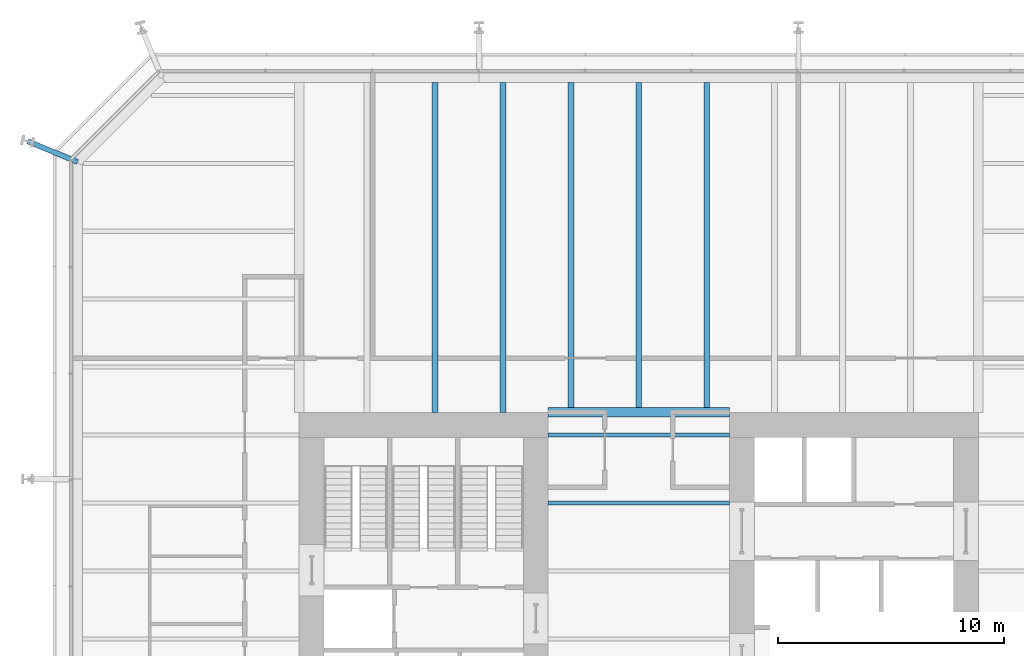
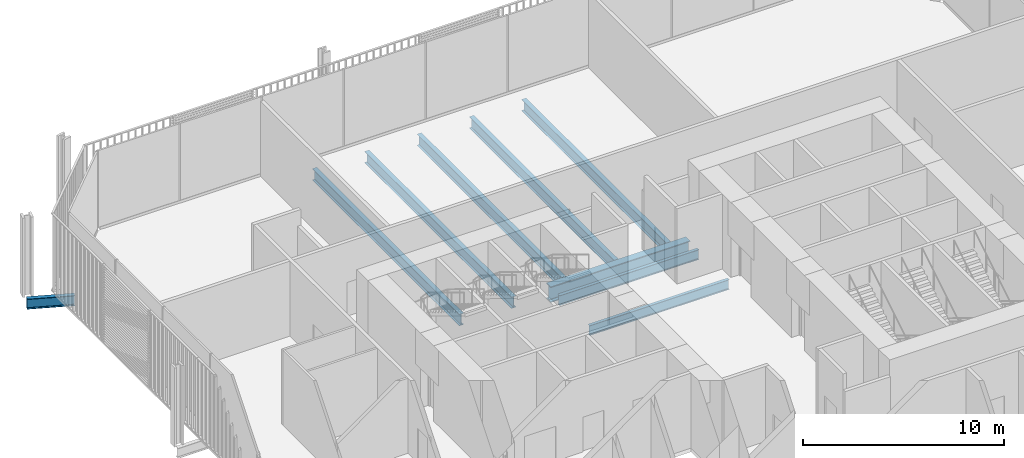
# One storey, part 13 of 22: 9 beams.
"""IFC4 building model written with IfcOpenShell, lengths in metres."""

from ifc_helpers import new_model, si_unit, direction, frame, origin, origin_2d, place, context, subcontext, project, spatial, i_section, extrude, material, material_profile, profile_set, type_object, element, save


model = new_model("IFC4")

# Units and contexts
model_context = context("Model", 3, precision=1e-05, world=origin(), true_north=direction((0.0, 1.0)))
body_context = subcontext(model_context, "Body", "Model", "MODEL_VIEW")
ifc_project = project(units=[si_unit("LENGTHUNIT", "METRE"), si_unit("AREAUNIT", "SQUARE_METRE"), si_unit("VOLUMEUNIT", "CUBIC_METRE"), si_unit("PLANEANGLEUNIT", "RADIAN"), si_unit("MASSUNIT", "GRAM", prefix="KILO")], contexts=[model_context])

# Site, building, storey
site_placement = place(None, origin())
site = spatial("IfcSite", under=ifc_project, at=site_placement, CompositionType="ELEMENT")
building_placement = place(site_placement, origin())
building = spatial("IfcBuilding", under=site, at=building_placement, Name="Millrace Tower", CompositionType="ELEMENT")
storey_placement = place(building_placement, frame((0.0, 0.0, 59.300048828125)))
storey = spatial("IfcBuildingStorey", under=building, at=storey_placement, Name="L13", CompositionType="ELEMENT", Elevation=59.300048828125)

# Beams
ifc_material_1 = material(Name="Steel ASTM A992 Grade 50", Category="steel")
ifc_material_profile_1 = material_profile(ifc_material_1, i_section(OverallWidth=0.177978515625, OverallDepth=0.599365234375, WebThickness=0.010009765625, FlangeThickness=0.012939453125, FilletRadius=0.012939453125, at=origin_2d()))
ifc_profile_set_1 = profile_set([ifc_material_profile_1], Name="Steel ASTM A992 Grade 50")
beam_type_1 = type_object("IfcBeamType", Name="Floor beam W24x55", PredefinedType="JOIST", material=ifc_profile_set_1)
for number, where, z_axis, x_axis, name in (
    (1, (-4.0, 6.0, -0.524658203125), (1.0, 0.0, 0.0), (0.0, 1.0, 0.0), "BM-A-L13-S1-S026"),
    (2, (-4.0, 9.0, -0.524658203125), (1.0, 0.0, 0.0), (0.0, 1.0, 0.0), "BM-A-L13-S1-S029"),
):
    element("IfcBeam", number, at=place(storey_placement, frame(where, z_axis=z_axis, x_axis=x_axis)), inside=storey, type_object=beam_type_1, Name=name, PredefinedType="JOIST", context=body_context, shape_type="SweptSolid", body=[
        extrude(i_section(OverallWidth=0.177978515625, OverallDepth=0.599365234375, WebThickness=0.010009765625, FlangeThickness=0.012939453125, FilletRadius=0.012939453125, at=origin_2d()), origin(), (0.0, 0.0, 1.0), 8.0),
    ])
ifc_material_2 = material(Name="Steel ASTM A992 Grade 50", Category="steel")
ifc_material_profile_2 = material_profile(ifc_material_2, i_section(OverallWidth=0.256591796875, OverallDepth=0.693359375, WebThickness=0.014404296875, FlangeThickness=0.023681640625, FilletRadius=0.01513671875, at=origin_2d()))
ifc_profile_set_2 = profile_set([ifc_material_profile_2], Name="Steel ASTM A992 Grade 50")
beam_type_2 = type_object("IfcBeamType", Name="Floor beam W27x114", PredefinedType="JOIST", material=ifc_profile_set_2)
for number, where, z_axis, x_axis, name in (
    (3, (-9.0, 10.0, -0.57177734375), (0.0, 1.0, 0.0), (-1.0, 0.0, 0.0), "BM-A-L13-S1-S044"),
    (4, (-6.0, 10.0, -0.57177734375), (0.0, 1.0, 0.0), (-1.0, 0.0, 0.0), "BM-A-L13-S1-S046"),
):
    element("IfcBeam", number, at=place(storey_placement, frame(where, z_axis=z_axis, x_axis=x_axis)), inside=storey, type_object=beam_type_2, Name=name, PredefinedType="JOIST", context=body_context, shape_type="SweptSolid", body=[
        extrude(i_section(OverallWidth=0.256591796875, OverallDepth=0.693359375, WebThickness=0.014404296875, FlangeThickness=0.023681640625, FilletRadius=0.01513671875, at=origin_2d()), origin(), (0.0, 0.0, 1.0), 14.578369140625),
    ])
for number, where, z_axis, x_axis, name in (
    (5, (-3.0, 10.212158203125, -0.57177734375), (0.0, 1.0, 0.0), (-1.0, 0.0, 0.0), "BM-A-L13-S1-S048"),
    (6, (0.0, 10.212158203125, -0.57177734375), (0.0, 1.0, 0.0), (-1.0, 0.0, 0.0), "BM-A-L13-S1-S050"),
    (7, (3.0, 10.212158203125, -0.57177734375), (0.0, 1.0, 0.0), (-1.0, 0.0, 0.0), "BM-A-L13-S1-S052"),
):
    element("IfcBeam", number, at=place(storey_placement, frame(where, z_axis=z_axis, x_axis=x_axis)), inside=storey, type_object=beam_type_2, Name=name, PredefinedType="JOIST", context=body_context, shape_type="SweptSolid", body=[
        extrude(i_section(OverallWidth=0.256591796875, OverallDepth=0.693359375, WebThickness=0.014404296875, FlangeThickness=0.023681640625, FilletRadius=0.01513671875, at=origin_2d()), origin(), (0.0, 0.0, 1.0), 14.3662109375),
    ])
ifc_material_3 = material(Name="Steel ASTM A992 Grade 50", Category="steel")
ifc_material_profile_3 = material_profile(ifc_material_3, i_section(OverallWidth=0.424072265625, OverallDepth=0.947509765625, WebThickness=0.02392578125, FlangeThickness=0.042724609375, FilletRadius=0.024169921875, at=origin_2d()))
ifc_profile_set_3 = profile_set([ifc_material_profile_3], Name="Steel ASTM A992 Grade 50")
beam_type_3 = type_object("IfcBeamType", Name="Girder short span W36x302", PredefinedType="BEAM", material=ifc_profile_set_3)
beam_1_placement = place(storey_placement, frame((-4.0, 10.0, -0.69873046875), z_axis=(1.0, 0.0, 0.0), x_axis=(0.0, 1.0, 0.0)))
element("IfcBeam", 8, at=beam_1_placement, inside=storey, type_object=beam_type_3, Name="BM-A-L13-S1-G064", PredefinedType="BEAM", context=body_context, shape_type="SweptSolid", body=[
    extrude(i_section(OverallWidth=0.424072265625, OverallDepth=0.947509765625, WebThickness=0.02392578125, FlangeThickness=0.042724609375, FilletRadius=0.024169921875, at=origin_2d()), origin(), (0.0, 0.0, 1.0), 8.0),
])
ifc_material_4 = material(Name="Steel ASTM A992 Grade 50", Category="steel")
ifc_material_profile_4 = material_profile(ifc_material_4, i_section(OverallWidth=0.23046875, OverallDepth=0.6171875, WebThickness=0.01318359375, FlangeThickness=0.022216796875, FilletRadius=0.012939453125, at=origin_2d()))
ifc_profile_set_4 = profile_set([ifc_material_profile_4], Name="Steel ASTM A992 Grade 50")
beam_type_4 = type_object("IfcBeamType", Name="Link beam W24x94", PredefinedType="BEAM", material=ifc_profile_set_4)
beam_2_placement = place(storey_placement, frame((-24.7890625, 21.062744140625, -0.53369140625), z_axis=(-0.923883789366, 0.382673155247, 0.0), x_axis=(-0.382673155247, -0.923883789366, 0.0)))
element("IfcBeam", 9, at=beam_2_placement, inside=storey, type_object=beam_type_4, Name="LNK-A-L13-S1-04", PredefinedType="BEAM", context=body_context, shape_type="SweptSolid", body=[
    extrude(i_section(OverallWidth=0.23046875, OverallDepth=0.6171875, WebThickness=0.01318359375, FlangeThickness=0.022216796875, FilletRadius=0.012939453125, at=origin_2d()), origin(), (0.0, 0.0, 1.0), 2.39306640625),
])

save(model, "model.ifc")
